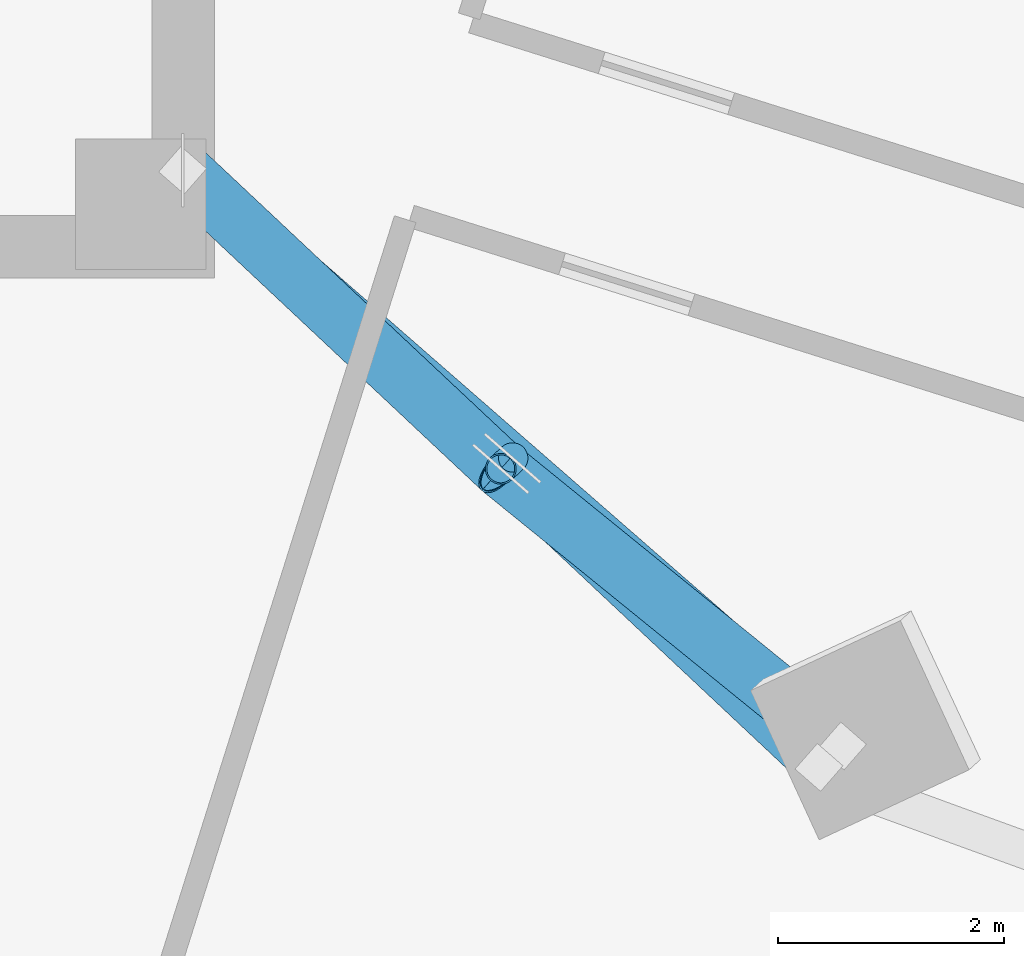
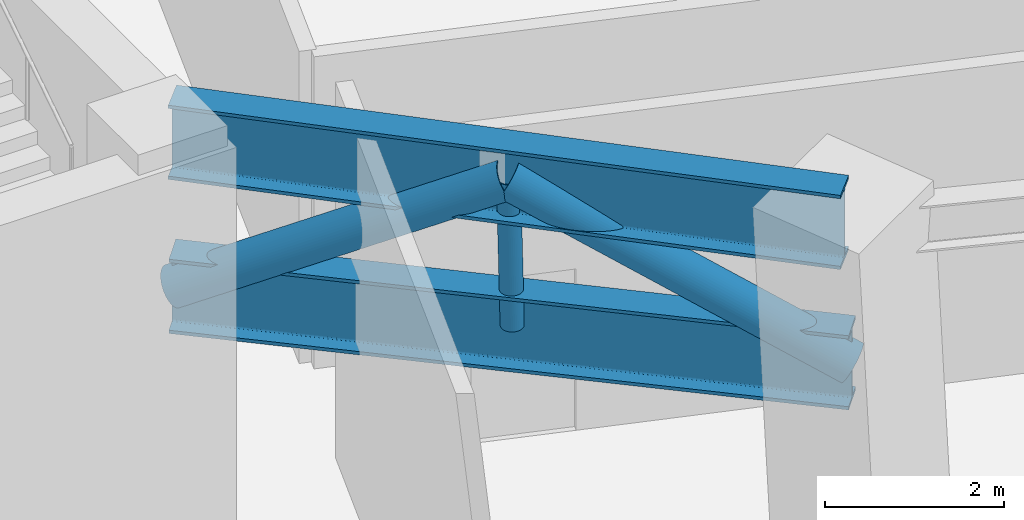
# One storey, part 5 of 29: 5 members.
"""IFC4 building model written with IfcOpenShell, lengths in metres."""

from ifc_helpers import new_model, si_unit, direction, frame, origin, origin_2d, place, context, subcontext, project, spatial, hollow_circle, i_section, extrude, source, transform, mapped, material, material_profile, profile_set, type_object, element, save


model = new_model("IFC4")

# Units and contexts
model_context = context("Model", 3, precision=1e-05, world=origin(), true_north=direction((0.0, 1.0)))
body_context = subcontext(model_context, "Body", "Model", "MODEL_VIEW")
ifc_project = project(units=[si_unit("LENGTHUNIT", "METRE"), si_unit("AREAUNIT", "SQUARE_METRE"), si_unit("VOLUMEUNIT", "CUBIC_METRE"), si_unit("PLANEANGLEUNIT", "RADIAN"), si_unit("MASSUNIT", "GRAM", prefix="KILO")], contexts=[model_context])

# Site, building, storey
site_placement = place(None, origin())
site = spatial("IfcSite", under=ifc_project, at=site_placement, CompositionType="ELEMENT")
building_placement = place(site_placement, origin())
building = spatial("IfcBuilding", under=site, at=building_placement, Name="Torre Montelarca", CompositionType="ELEMENT")
storey_placement = place(building_placement, frame((0.0, 0.0, 122.199951171875)))
storey = spatial("IfcBuildingStorey", under=building, at=storey_placement, Name="L27", CompositionType="ELEMENT", Elevation=122.199951171875)

# Members
ifc_material_1 = material(Name="Steel ASTM A992 Grade 50", Category="steel")
ifc_material_profile_1 = material_profile(ifc_material_1, i_section(OverallWidth=0.404052734375, OverallDepth=1.011962890625, WebThickness=0.025390625, FlangeThickness=0.044921875, FilletRadius=0.02490234375, at=origin_2d()), Name="W1000X483", Category="steel")
ifc_profile_set_1 = profile_set([ifc_material_profile_1], Name="Steel ASTM A992 Grade 50")
member_type_1 = type_object("IfcMemberType", Name="MB-CH-W1000", PredefinedType="CHORD", material=ifc_profile_set_1)
shared_shape_1 = source(origin(), body_context, "Body", "SweptSolid", [
    extrude(i_section(OverallWidth=0.404052734375, OverallDepth=1.011962890625, WebThickness=0.025390625, FlangeThickness=0.044921875, FilletRadius=0.02490234375, at=origin_2d()), origin(), (0.0, 0.0, 1.0), 7.739013671875),
])
member_1_placement = place(storey_placement, frame((26.820068359375, 24.85009765625, 2.75), z_axis=(0.753504215539, -0.657443075228, 0.0), x_axis=(0.657443075228, 0.753504215539, 0.0)))
element("IfcMember", 1, at=member_1_placement, inside=storey, type_object=member_type_1, Name="L27 Outrigger Bottom Chord 1", PredefinedType="CHORD", context=body_context, shape_type="MappedRepresentation", body=[
    mapped(shared_shape_1, transform((0.0, 0.0, 0.0), scale=1.0)),
])
shared_shape_2 = source(origin(), body_context, "Body", "SweptSolid", [
    extrude(i_section(OverallWidth=0.404052734375, OverallDepth=1.011962890625, WebThickness=0.025390625, FlangeThickness=0.044921875, FilletRadius=0.02490234375, at=origin_2d()), origin(), (0.0, 0.0, 1.0), 7.712158203125),
])
member_2_placement = place(storey_placement, frame((26.820068359375, 24.85009765625, 4.85009765625), z_axis=(0.729210353428, -0.684289602766, 0.0), x_axis=(0.684289602766, 0.729210353428, 0.0)))
element("IfcMember", 2, at=member_2_placement, inside=storey, type_object=member_type_1, Name="L27 Outrigger Top Chord 1", PredefinedType="CHORD", context=body_context, shape_type="MappedRepresentation", body=[
    mapped(shared_shape_2, transform((0.0, 0.0, 0.0), scale=1.0)),
])
ifc_material_2 = material(Name="Steel ASTM A500 Grade C", Category="steel")
ifc_material_profile_2 = material_profile(ifc_material_2, hollow_circle(Radius=0.25390625, WallThickness=0.015869140625, at=origin_2d()), Name="HSS508.0X15.9", Category="steel")
ifc_profile_set_2 = profile_set([ifc_material_profile_2], Name="Steel ASTM A500 Grade C")
member_type_2 = type_object("IfcMemberType", Name="MB-BR-CHS508", PredefinedType="BRACE", material=ifc_profile_set_2)
shared_shape_3 = source(origin(), body_context, "Body", "SweptSolid", [
    extrude(hollow_circle(Radius=0.25390625, WallThickness=0.015869140625, at=origin_2d()), origin(), (0.0, 0.0, 1.0), 4.390869140625),
])
member_3_placement = place(storey_placement, frame((26.820068359375, 24.85009765625, 2.75), z_axis=(0.64037852259, -0.600956071212, 0.478296088505), x_axis=(0.684305399343, 0.729195529629, 0.0)))
element("IfcMember", 3, at=member_3_placement, inside=storey, type_object=member_type_2, Name="L27 Outrigger Truss Diagonal 1A", PredefinedType="BRACE", context=body_context, shape_type="MappedRepresentation", body=[
    mapped(shared_shape_3, transform((0.0, 0.0, 0.0), scale=1.0)),
])
shared_shape_4 = source(origin(), body_context, "Body", "SweptSolid", [
    extrude(hollow_circle(Radius=0.25390625, WallThickness=0.015869140625, at=origin_2d()), origin(), (0.0, 0.0, 1.0), 4.4189453125),
])
member_4_placement = place(storey_placement, frame((32.6513671875, 19.76220703125, 2.75), z_axis=(-0.683322371745, 0.554260190277, 0.475253803505), x_axis=(-0.629949398121, -0.776636179821, 0.0)))
element("IfcMember", 4, at=member_4_placement, inside=storey, type_object=member_type_2, Name="L27 Outrigger Truss Diagonal 1B", PredefinedType="BRACE", context=body_context, shape_type="MappedRepresentation", body=[
    mapped(shared_shape_4, transform((0.0, 0.0, 0.0), scale=1.0)),
])
ifc_material_profile_3 = material_profile(ifc_material_2, hollow_circle(Radius=0.136474609375, WallThickness=0.0126953125, at=origin_2d()), Name="HSS273.1X12.7", Category="steel")
ifc_profile_set_3 = profile_set([ifc_material_profile_3], Name="Steel ASTM A500 Grade C")
member_type_3 = type_object("IfcMemberType", Name="MB-ST-CHS273", PredefinedType="STRUT", material=ifc_profile_set_3)
shared_shape_5 = source(origin(), body_context, "Body", "SweptSolid", [
    extrude(hollow_circle(Radius=0.136474609375, WallThickness=0.0126953125, at=origin_2d()), origin(), (0.0, 0.0, 1.0), 2.104736328125),
])
member_5_placement = place(storey_placement, frame((29.735595703125, 22.305908203125, 2.75), z_axis=(-0.049297178264, -0.04488943056, 0.997774888058), x_axis=(0.673278721452, -0.739388776788, 0.0)))
element("IfcMember", 5, at=member_5_placement, inside=storey, type_object=member_type_3, Name="L27 Outrigger King Strut 1", PredefinedType="STRUT", context=body_context, shape_type="MappedRepresentation", body=[
    mapped(shared_shape_5, transform((0.0, 0.0, 0.0), scale=1.0)),
])

save(model, "model.ifc")
